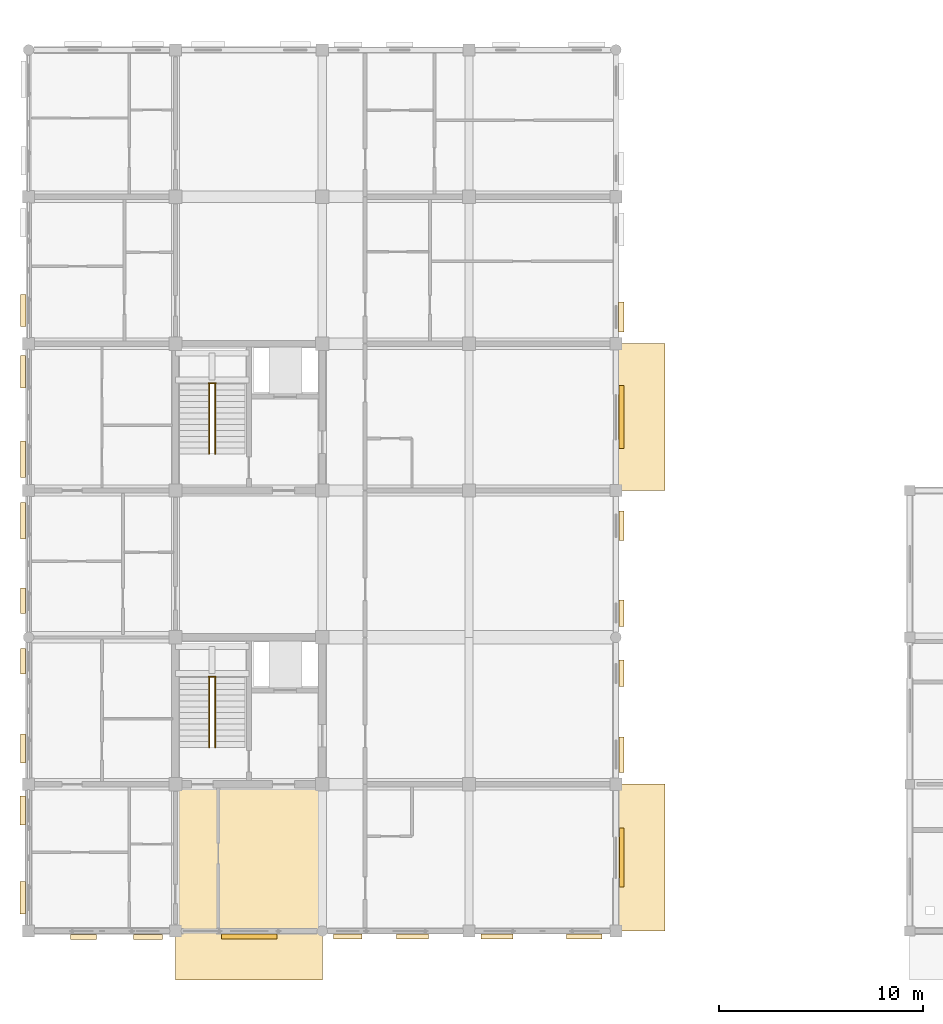
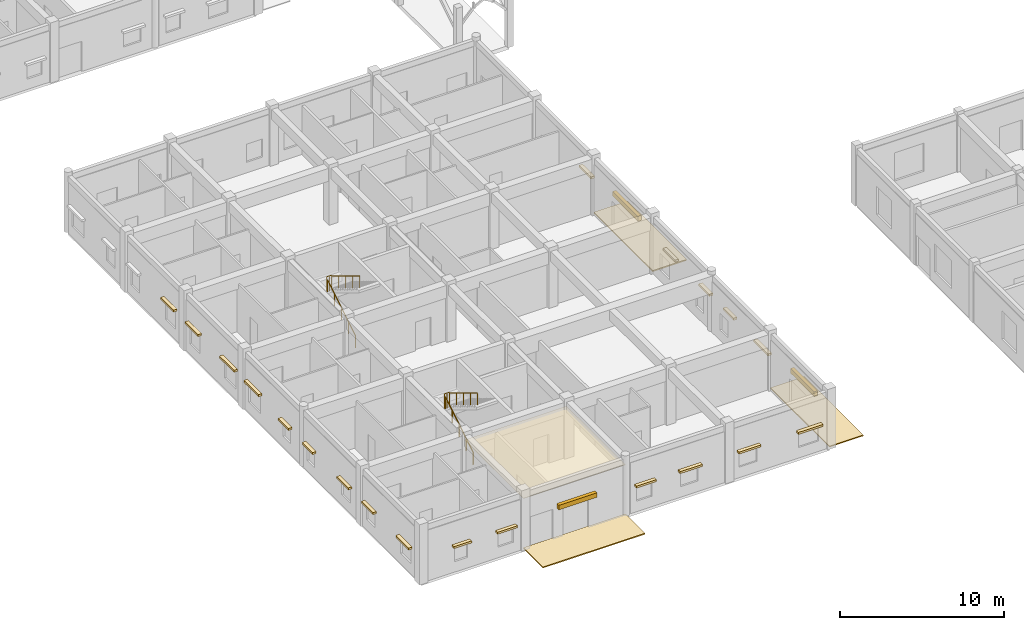
# One storey, part 124 of 138: 27 coverings, 6 railings.
"""IFC4 building model written with IfcOpenShell, lengths in metres."""

from ifc_helpers import new_model, si_unit, direction, frame, origin, origin_2d, place, context, subcontext, project, spatial, polyline, rectangle, circle, outline, extrude, material, layer, layer_set, type_object, element, save


model = new_model("IFC4")

# Units and contexts
model_context = context("Model", 3, precision=1e-05, world=origin(), true_north=direction((0.0, 1.0)))
body_context = subcontext(model_context, "Body", "Model", "MODEL_VIEW")
ifc_project = project(units=[si_unit("LENGTHUNIT", "METRE"), si_unit("AREAUNIT", "SQUARE_METRE"), si_unit("VOLUMEUNIT", "CUBIC_METRE"), si_unit("PLANEANGLEUNIT", "RADIAN"), si_unit("MASSUNIT", "GRAM", prefix="KILO"), si_unit("THERMODYNAMICTEMPERATUREUNIT", "KELVIN"), si_unit("POWERUNIT", "WATT")], contexts=[model_context])

# Site, building, storey
site_placement = place(None, origin())
site = spatial("IfcSite", under=ifc_project, at=site_placement, CompositionType="ELEMENT")
building_placement = place(site_placement, origin())
building = spatial("IfcBuilding", under=site, at=building_placement, Name="Tavuni Mirador Residences", CompositionType="ELEMENT")
storey_placement = place(building_placement, origin())
storey = spatial("IfcBuildingStorey", under=building, at=storey_placement, Name="L00", CompositionType="ELEMENT", Elevation=0.0)

# Coverings
ifc_material_1 = material(Name="Perforated mineral-fibre acoustic ceiling", Category="gypsum")
ifc_layer_1 = layer(ifc_material_1, 0.02490234375, Name="Perforated mineral-fibre acoustic ceiling", Category="gypsum")
ifc_layer_set_1 = layer_set([ifc_layer_1], Name="Perforated mineral-fibre acoustic ceiling")
covering_type_1 = type_object("IfcCoveringType", Name="CVT-CEIL-AC", PredefinedType="CEILING", material=ifc_layer_set_1)
covering_1_placement = place(storey_placement, frame((0.0, 0.0, 3.64501953125)))
element("IfcCovering", 1, at=covering_1_placement, inside=storey, type_object=covering_type_1, Name="CEIL-BLKA-LOB", PredefinedType="CEILING", context=body_context, shape_type="SweptSolid", body=[
    extrude(outline(polyline([(10.800048828125, 7.199951171875), (18.0, 7.199951171875), (18.0, 14.39990234375), (10.800048828125, 14.39990234375), (10.800048828125, 7.199951171875)])), origin(), (0.0, 0.0, 1.0), 0.02490234375),
])
ifc_material_2 = material(Name="Natural coral limestone", Category="masonry")
ifc_layer_2 = layer(ifc_material_2, 0.054931640625, Name="Natural coral limestone", Category="masonry")
ifc_layer_set_2 = layer_set([ifc_layer_2], Name="Natural coral limestone")
covering_type_2 = type_object("IfcCoveringType", Name="CVT-CLAD-CORAL", PredefinedType="CLADDING", material=ifc_layer_set_2)
covering_2_placement = place(storey_placement, frame((6.2900390625, 6.9130859375, 1.955078125), z_axis=(0.0, 0.0, 1.0), x_axis=(1.0, 0.0, 0.0)))
element("IfcCovering", 2, at=covering_2_placement, inside=storey, type_object=covering_type_2, Name="HOOD-0001", PredefinedType="CLADDING", context=body_context, shape_type="SweptSolid", body=[
    extrude(rectangle(XDim=1.260009765625, YDim=0.25, at=origin_2d()), origin(), (0.0, 0.0, 1.0), 0.14990234375),
])
covering_3_placement = place(storey_placement, frame((9.449951171875, 6.9130859375, 1.955078125), z_axis=(0.0, 0.0, 1.0), x_axis=(1.0, 0.0, 0.0)))
element("IfcCovering", 3, at=covering_3_placement, inside=storey, type_object=covering_type_2, Name="HOOD-0002", PredefinedType="CLADDING", context=body_context, shape_type="SweptSolid", body=[
    extrude(rectangle(XDim=1.419921875, YDim=0.25, at=origin_2d()), origin(), (0.0, 0.0, 1.0), 0.14990234375),
])
covering_4_placement = place(storey_placement, frame((14.419921875, 6.925537109375, 2.25), z_axis=(0.0, 0.0, 1.0), x_axis=(1.0, 0.0, 0.0)))
element("IfcCovering", 4, at=covering_4_placement, inside=storey, type_object=covering_type_2, Name="CLAD-BLK-A-S01", PredefinedType="CLADDING", context=body_context, shape_type="SweptSolid", body=[
    extrude(rectangle(XDim=2.699951171875, YDim=0.239990234375, at=origin_2d()), origin(), (0.0, 0.0, 1.0), 0.340087890625),
])
covering_5_placement = place(storey_placement, frame((19.25, 6.925537109375, 1.955078125), z_axis=(0.0, 0.0, 1.0), x_axis=(1.0, 0.0, 0.0)))
element("IfcCovering", 5, at=covering_5_placement, inside=storey, type_object=covering_type_2, Name="HOOD-0003", PredefinedType="CLADDING", context=body_context, shape_type="SweptSolid", body=[
    extrude(rectangle(XDim=1.419921875, YDim=0.25, at=origin_2d()), origin(), (0.0, 0.0, 1.0), 0.14990234375),
])
for number, where, z_axis, x_axis, name in (
    (6, (22.429931640625, 6.925537109375, 1.955078125), (0.0, 0.0, 1.0), (1.0, 0.0, 0.0), "HOOD-0004"),
    (7, (26.570068359375, 6.93310546875, 1.955078125), (0.0, 0.0, 1.0), (1.0, 0.0, 0.0), "HOOD-0005"),
):
    element("IfcCovering", number, at=place(storey_placement, frame(where, z_axis=z_axis, x_axis=x_axis)), inside=storey, type_object=covering_type_2, Name=name, PredefinedType="CLADDING", context=body_context, shape_type="SweptSolid", body=[
        extrude(rectangle(XDim=1.580078125, YDim=0.25, at=origin_2d()), origin(), (0.0, 0.0, 1.0), 0.14990234375),
    ])
covering_6_placement = place(storey_placement, frame((30.85009765625, 6.93310546875, 1.955078125), z_axis=(0.0, 0.0, 1.0), x_axis=(1.0, 0.0, 0.0)))
element("IfcCovering", 8, at=covering_6_placement, inside=storey, type_object=covering_type_2, Name="HOOD-0006", PredefinedType="CLADDING", context=body_context, shape_type="SweptSolid", body=[
    extrude(rectangle(XDim=1.739990234375, YDim=0.25, at=origin_2d()), origin(), (0.0, 0.0, 1.0), 0.14990234375),
])
covering_7_placement = place(storey_placement, frame((32.681884765625, 10.800048828125, 2.35009765625), z_axis=(0.0, 0.0, 1.0), x_axis=(0.0, 1.0, 0.0)))
element("IfcCovering", 9, at=covering_7_placement, inside=storey, type_object=covering_type_2, Name="CLAD-BLK-A-E00", PredefinedType="CLADDING", context=body_context, shape_type="SweptSolid", body=[
    extrude(rectangle(XDim=2.89990234375, YDim=0.239990234375, at=origin_2d()), origin(), (0.0, 0.0, 1.0), 0.340087890625),
])
covering_8_placement = place(storey_placement, frame((32.679443359375, 15.85009765625, 1.955078125), z_axis=(0.0, 0.0, 1.0), x_axis=(0.0, 1.0, 0.0)))
element("IfcCovering", 10, at=covering_8_placement, inside=storey, type_object=covering_type_2, Name="HOOD-0007", PredefinedType="CLADDING", context=body_context, shape_type="SweptSolid", body=[
    extrude(rectangle(XDim=1.739990234375, YDim=0.25, at=origin_2d()), origin(), (0.0, 0.0, 1.0), 0.14990234375),
])
for number, where, z_axis, x_axis, name in (
    (11, (32.679443359375, 19.830078125, 2.06494140625), (0.0, 0.0, 1.0), (0.0, 1.0, 0.0), "HOOD-0008"),
    (12, (32.674560546875, 22.7900390625, 2.06494140625), (0.0, 0.0, 1.0), (0.0, 1.0, 0.0), "HOOD-0009"),
):
    element("IfcCovering", number, at=place(storey_placement, frame(where, z_axis=z_axis, x_axis=x_axis)), inside=storey, type_object=covering_type_2, Name=name, PredefinedType="CLADDING", context=body_context, shape_type="SweptSolid", body=[
        extrude(rectangle(XDim=1.300048828125, YDim=0.25, at=origin_2d()), origin(), (0.0, 0.0, 1.0), 0.14990234375),
    ])
covering_9_placement = place(storey_placement, frame((32.674560546875, 27.070068359375, 2.06494140625), z_axis=(0.0, 0.0, 1.0), x_axis=(0.0, 1.0, 0.0)))
element("IfcCovering", 13, at=covering_9_placement, inside=storey, type_object=covering_type_2, Name="HOOD-0010", PredefinedType="CLADDING", context=body_context, shape_type="SweptSolid", body=[
    extrude(rectangle(XDim=1.4599609375, YDim=0.25, at=origin_2d()), origin(), (0.0, 0.0, 1.0), 0.14990234375),
])
covering_10_placement = place(storey_placement, frame((32.662109375, 32.39990234375, 2.39990234375), z_axis=(0.0, 0.0, 1.0), x_axis=(0.0, 1.0, 0.0)))
element("IfcCovering", 14, at=covering_10_placement, inside=storey, type_object=covering_type_2, Name="CLAD-BLK-A-E03", PredefinedType="CLADDING", context=body_context, shape_type="SweptSolid", body=[
    extrude(rectangle(XDim=3.10009765625, YDim=0.239990234375, at=origin_2d()), origin(), (0.0, 0.0, 1.0), 0.340087890625),
])
covering_11_placement = place(storey_placement, frame((32.659423828125, 37.31005859375, 2.06494140625), z_axis=(0.0, 0.0, 1.0), x_axis=(0.0, 1.0, 0.0)))
element("IfcCovering", 15, at=covering_11_placement, inside=storey, type_object=covering_type_2, Name="HOOD-0011", PredefinedType="CLADDING", context=body_context, shape_type="SweptSolid", body=[
    extrude(rectangle(XDim=1.4599609375, YDim=0.25, at=origin_2d()), origin(), (0.0, 0.0, 1.0), 0.14990234375),
])
for number, where, z_axis, x_axis, name in (
    (16, (3.340576171875, 37.625, 2.2451171875), (0.0, 0.0, 1.0), (0.0, -1.0, 0.0), "HOOD-0026"),
    (17, (3.3330078125, 34.625, 2.2451171875), (0.0, 0.0, 1.0), (0.0, -1.0, 0.0), "HOOD-0027"),
):
    element("IfcCovering", number, at=place(storey_placement, frame(where, z_axis=z_axis, x_axis=x_axis)), inside=storey, type_object=covering_type_2, Name=name, PredefinedType="CLADDING", context=body_context, shape_type="SweptSolid", body=[
        extrude(rectangle(XDim=1.590087890625, YDim=0.25, at=origin_2d()), origin(), (0.0, 0.0, 1.0), 0.14990234375),
    ])
for number, where, z_axis, x_axis, name in (
    (18, (3.3330078125, 30.324951171875, 2.2451171875), (0.0, 0.0, 1.0), (0.0, -1.0, 0.0), "HOOD-0028"),
    (19, (3.325439453125, 27.324951171875, 2.2451171875), (0.0, 0.0, 1.0), (0.0, -1.0, 0.0), "HOOD-0029"),
):
    element("IfcCovering", number, at=place(storey_placement, frame(where, z_axis=z_axis, x_axis=x_axis)), inside=storey, type_object=covering_type_2, Name=name, PredefinedType="CLADDING", context=body_context, shape_type="SweptSolid", body=[
        extrude(rectangle(XDim=1.7900390625, YDim=0.25, at=origin_2d()), origin(), (0.0, 0.0, 1.0), 0.14990234375),
    ])
for number, where, z_axis, x_axis, name in (
    (20, (3.325439453125, 23.389892578125, 1.955078125), (0.0, 0.0, 1.0), (0.0, -1.0, 0.0), "HOOD-0030"),
    (21, (3.320556640625, 20.429931640625, 1.955078125), (0.0, 0.0, 1.0), (0.0, -1.0, 0.0), "HOOD-0031"),
):
    element("IfcCovering", number, at=place(storey_placement, frame(where, z_axis=z_axis, x_axis=x_axis)), inside=storey, type_object=covering_type_2, Name=name, PredefinedType="CLADDING", context=body_context, shape_type="SweptSolid", body=[
        extrude(rectangle(XDim=1.260009765625, YDim=0.25, at=origin_2d()), origin(), (0.0, 0.0, 1.0), 0.14990234375),
    ])
for number, where, z_axis, x_axis, name in (
    (22, (3.320556640625, 16.14990234375, 1.955078125), (0.0, 0.0, 1.0), (0.0, -1.0, 0.0), "HOOD-0032"),
    (23, (3.31298828125, 13.110107421875, 1.955078125), (0.0, 0.0, 1.0), (0.0, -1.0, 0.0), "HOOD-0033"),
):
    element("IfcCovering", number, at=place(storey_placement, frame(where, z_axis=z_axis, x_axis=x_axis)), inside=storey, type_object=covering_type_2, Name=name, PredefinedType="CLADDING", context=body_context, shape_type="SweptSolid", body=[
        extrude(rectangle(XDim=1.419921875, YDim=0.25, at=origin_2d()), origin(), (0.0, 0.0, 1.0), 0.14990234375),
    ])
covering_12_placement = place(storey_placement, frame((3.31298828125, 8.830078125, 1.955078125), z_axis=(0.0, 0.0, 1.0), x_axis=(0.0, -1.0, 0.0)))
element("IfcCovering", 24, at=covering_12_placement, inside=storey, type_object=covering_type_2, Name="HOOD-0034", PredefinedType="CLADDING", context=body_context, shape_type="SweptSolid", body=[
    extrude(rectangle(XDim=1.580078125, YDim=0.25, at=origin_2d()), origin(), (0.0, 0.0, 1.0), 0.14990234375),
])
ifc_material_3 = material(Name="Dressed coral-stone paving", Category="masonry")
ifc_layer_3 = layer(ifc_material_3, 0.080078125, Name="Dressed coral-stone paving", Category="masonry")
ifc_layer_set_3 = layer_set([ifc_layer_3], Name="Dressed coral-stone paving")
covering_type_3 = type_object("IfcCoveringType", Name="CVT-PAV-COURT", PredefinedType="USERDEFINED", material=ifc_layer_set_3)
covering_13_placement = place(storey_placement, frame((0.0, 0.0, -0.080078125)))
element("IfcCovering", 25, at=covering_13_placement, inside=storey, type_object=covering_type_3, Name="PAV-APR-BLKA-S", ObjectType="PAVING", PredefinedType="USERDEFINED", context=body_context, shape_type="SweptSolid", body=[
    extrude(outline(polyline([(10.800048828125, 4.800048828125), (18.0, 4.800048828125), (18.0, 7.199951171875), (10.800048828125, 7.199951171875), (10.800048828125, 4.800048828125)])), origin(), (0.0, 0.0, 1.0), 0.080078125),
])
covering_14_placement = place(storey_placement, frame((0.0, 0.0, -0.080078125)))
element("IfcCovering", 26, at=covering_14_placement, inside=storey, type_object=covering_type_3, Name="PAV-APR-BLKA-E1", ObjectType="PAVING", PredefinedType="USERDEFINED", context=body_context, shape_type="SweptSolid", body=[
    extrude(outline(polyline([(32.39990234375, 7.199951171875), (34.800048828125, 7.199951171875), (34.800048828125, 14.39990234375), (32.39990234375, 14.39990234375), (32.39990234375, 7.199951171875)])), origin(), (0.0, 0.0, 1.0), 0.080078125),
])
covering_15_placement = place(storey_placement, frame((0.0, 0.0, -0.080078125)))
element("IfcCovering", 27, at=covering_15_placement, inside=storey, type_object=covering_type_3, Name="PAV-APR-BLKA-E2", ObjectType="PAVING", PredefinedType="USERDEFINED", context=body_context, shape_type="SweptSolid", body=[
    extrude(outline(polyline([(32.39990234375, 28.800048828125), (34.800048828125, 28.800048828125), (34.800048828125, 36.0), (32.39990234375, 36.0), (32.39990234375, 28.800048828125)])), origin(), (0.0, 0.0, 1.0), 0.080078125),
])

# Railings
ifc_material_4 = material(Name="Structural steel S355", Category="steel")
railing_type_1 = type_object("IfcRailingType", Name="RT-GR1120", PredefinedType="GUARDRAIL", material=ifc_material_4)
for number, where, name in (
    (28, (12.419921875, 19.659912109375, 2.25), "GRD-HL-ST1-L00"),
    (29, (12.419921875, 34.06005859375, 2.25), "GRD-HL-ST2-L00"),
):
    element("IfcRailing", number, at=place(storey_placement, frame(where)), inside=storey, type_object=railing_type_1, Name=name, PredefinedType="GUARDRAIL", context=body_context, shape_type="SweptSolid", body=[
        extrude(circle(Radius=0.02392578125, at=origin_2d()), frame((0.0, 0.0, 1.09619140625), z_axis=(1.0, 0.0, 0.0), x_axis=(0.0, 1.0, 0.0)), (0.0, 0.0, 1.0), 0.360107421875),
        extrude(circle(Radius=0.02099609375, at=origin_2d()), origin(), (0.0, 0.0, 1.0), 1.072021484375),
        extrude(circle(Radius=0.02099609375, at=origin_2d()), frame((0.18017578125, 0.0, 0.0)), (0.0, 0.0, 1.0), 1.072021484375),
        extrude(circle(Radius=0.02099609375, at=origin_2d()), frame((0.360107421875, 0.0, 0.0)), (0.0, 0.0, 1.0), 1.072021484375),
    ])
railing_type_2 = type_object("IfcRailingType", Name="RT-HR920", PredefinedType="HANDRAIL", material=ifc_material_4)
railing_1_placement = place(storey_placement, frame((12.449951171875, 16.199951171875, 0.173095703125)))
element("IfcRailing", 30, at=railing_1_placement, inside=storey, type_object=railing_type_2, Name="HR-ST1-L00-F1", PredefinedType="HANDRAIL", context=body_context, shape_type="SweptSolid", body=[
    extrude(circle(Radius=0.02392578125, at=origin_2d()), frame((0.0, 0.0, 0.89599609375), z_axis=(0.0, 0.854745945586, 0.519046595696), x_axis=(-1.0, 0.0, 0.0)), (0.0, 0.0, 1.0), 4.00146484375),
    extrude(circle(Radius=0.02099609375, at=origin_2d()), origin(), (0.0, 0.0, 1.0), 0.871826171875),
    extrude(circle(Radius=0.02099609375, at=origin_2d()), frame((0.0, 0.85498046875, 0.519287109375)), (0.0, 0.0, 1.0), 0.871826171875),
    extrude(circle(Radius=0.02099609375, at=origin_2d()), frame((0.0, 1.7099609375, 1.03857421875)), (0.0, 0.0, 1.0), 0.871826171875),
    extrude(circle(Radius=0.02099609375, at=origin_2d()), frame((0.0, 2.565185546875, 1.5576171875)), (0.0, 0.0, 1.0), 0.871826171875),
    extrude(circle(Radius=0.02099609375, at=origin_2d()), frame((0.0, 3.420166015625, 2.076904296875)), (0.0, 0.0, 1.0), 0.871826171875),
])
railing_2_placement = place(storey_placement, frame((12.75, 19.6201171875, 2.423095703125)))
element("IfcRailing", 31, at=railing_2_placement, inside=storey, type_object=railing_type_2, Name="HR-ST1-L00-F2", PredefinedType="HANDRAIL", context=body_context, shape_type="SweptSolid", body=[
    extrude(circle(Radius=0.02392578125, at=origin_2d()), frame((0.0, 0.0, 0.89599609375), z_axis=(0.0, -0.854745945586, 0.519046595696), x_axis=(1.0, 0.0, 0.0)), (0.0, 0.0, 1.0), 4.00146484375),
    extrude(circle(Radius=0.02099609375, at=origin_2d()), origin(), (0.0, 0.0, 1.0), 0.871826171875),
    extrude(circle(Radius=0.02099609375, at=origin_2d()), frame((0.0, -0.85498046875, 0.519287109375)), (0.0, 0.0, 1.0), 0.871826171875),
    extrude(circle(Radius=0.02099609375, at=origin_2d()), frame((0.0, -1.7099609375, 1.03857421875)), (0.0, 0.0, 1.0), 0.871826171875),
    extrude(circle(Radius=0.02099609375, at=origin_2d()), frame((0.0, -2.565185546875, 1.5576171875)), (0.0, 0.0, 1.0), 0.871826171875),
    extrude(circle(Radius=0.02099609375, at=origin_2d()), frame((0.0, -3.420166015625, 2.076904296875)), (0.0, 0.0, 1.0), 0.871826171875),
])
railing_3_placement = place(storey_placement, frame((12.449951171875, 30.60009765625, 0.173095703125)))
element("IfcRailing", 32, at=railing_3_placement, inside=storey, type_object=railing_type_2, Name="HR-ST2-L00-F1", PredefinedType="HANDRAIL", context=body_context, shape_type="SweptSolid", body=[
    extrude(circle(Radius=0.02392578125, at=origin_2d()), frame((0.0, 0.0, 0.89599609375), z_axis=(0.0, 0.854729506542, 0.519073665916), x_axis=(-1.0, 0.0, 0.0)), (0.0, 0.0, 1.0), 4.001220703125),
    extrude(circle(Radius=0.02099609375, at=origin_2d()), origin(), (0.0, 0.0, 1.0), 0.871826171875),
    extrude(circle(Radius=0.02099609375, at=origin_2d()), frame((0.0, 0.85498046875, 0.519287109375)), (0.0, 0.0, 1.0), 0.871826171875),
    extrude(circle(Radius=0.02099609375, at=origin_2d()), frame((0.0, 1.7099609375, 1.03857421875)), (0.0, 0.0, 1.0), 0.871826171875),
    extrude(circle(Radius=0.02099609375, at=origin_2d()), frame((0.0, 2.56494140625, 1.5576171875)), (0.0, 0.0, 1.0), 0.871826171875),
    extrude(circle(Radius=0.02099609375, at=origin_2d()), frame((0.0, 3.419921875, 2.076904296875)), (0.0, 0.0, 1.0), 0.871826171875),
])
railing_4_placement = place(storey_placement, frame((12.75, 34.02001953125, 2.423095703125)))
element("IfcRailing", 33, at=railing_4_placement, inside=storey, type_object=railing_type_2, Name="HR-ST2-L00-F2", PredefinedType="HANDRAIL", context=body_context, shape_type="SweptSolid", body=[
    extrude(circle(Radius=0.02392578125, at=origin_2d()), frame((0.0, 0.0, 0.89599609375), z_axis=(0.0, -0.854729506542, 0.519073665916), x_axis=(1.0, 0.0, 0.0)), (0.0, 0.0, 1.0), 4.001220703125),
    extrude(circle(Radius=0.02099609375, at=origin_2d()), origin(), (0.0, 0.0, 1.0), 0.871826171875),
    extrude(circle(Radius=0.02099609375, at=origin_2d()), frame((0.0, -0.85498046875, 0.519287109375)), (0.0, 0.0, 1.0), 0.871826171875),
    extrude(circle(Radius=0.02099609375, at=origin_2d()), frame((0.0, -1.7099609375, 1.03857421875)), (0.0, 0.0, 1.0), 0.871826171875),
    extrude(circle(Radius=0.02099609375, at=origin_2d()), frame((0.0, -2.56494140625, 1.5576171875)), (0.0, 0.0, 1.0), 0.871826171875),
    extrude(circle(Radius=0.02099609375, at=origin_2d()), frame((0.0, -3.419921875, 2.076904296875)), (0.0, 0.0, 1.0), 0.871826171875),
])

save(model, "model.ifc")
